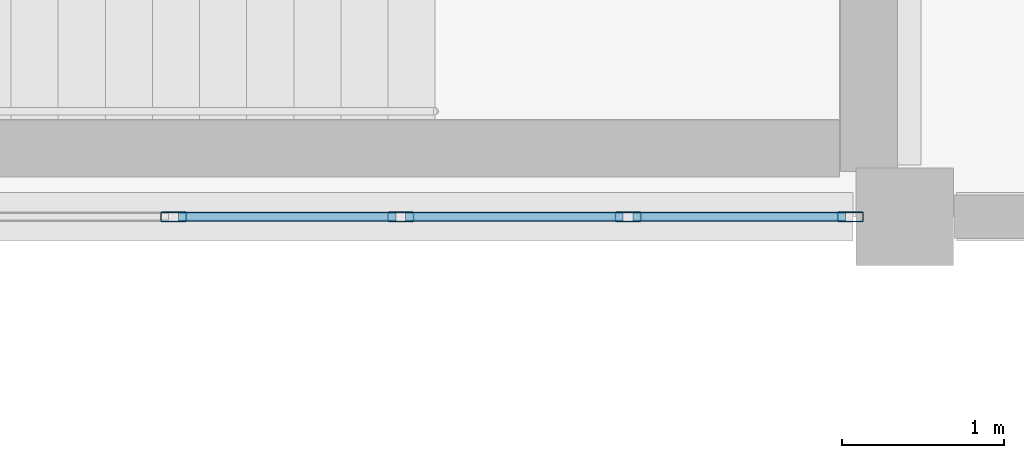
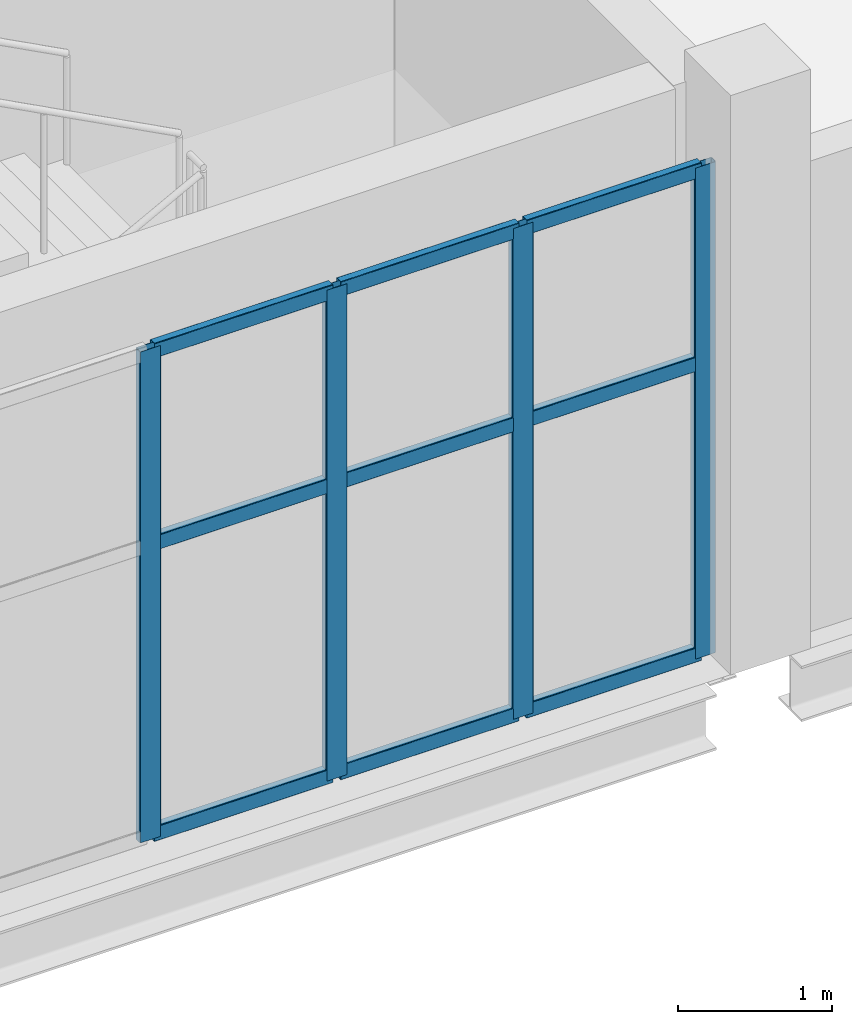
# One storey, part 91 of 136: 13 members, 1 element without a shape of its own.
"""IFC4 building model written with IfcOpenShell, lengths in metres."""

from ifc_helpers import new_model, si_unit, direction, frame, origin, origin_2d, place, context, subcontext, project, spatial, hollow_rectangle, extrude, material, material_profile, profile_set, type_object, element, aggregate, save


model = new_model("IFC4")

# Units and contexts
model_context = context("Model", 3, precision=1e-05, world=origin(), true_north=direction((0.0, 1.0)))
body_context = subcontext(model_context, "Body", "Model", "MODEL_VIEW")
ifc_project = project(units=[si_unit("LENGTHUNIT", "METRE"), si_unit("AREAUNIT", "SQUARE_METRE"), si_unit("VOLUMEUNIT", "CUBIC_METRE"), si_unit("PLANEANGLEUNIT", "RADIAN"), si_unit("MASSUNIT", "GRAM", prefix="KILO")], contexts=[model_context])

# Site, building, storey
site_placement = place(None, origin())
site = spatial("IfcSite", under=ifc_project, at=site_placement, CompositionType="ELEMENT")
building_placement = place(site_placement, origin())
building = spatial("IfcBuilding", under=site, at=building_placement, Name="Shengluoqiao Park Theatre", CompositionType="ELEMENT")
storey_placement = place(building_placement, frame((0.0, 0.0, 10.0)))
storey = spatial("IfcBuildingStorey", under=building, at=storey_placement, Name="L02", CompositionType="ELEMENT", Elevation=10.0)

# Curtain wall, members
ifc_material = material(Name="Aluminium 6063-T6", Category="aluminium")
curtain_wall_type = type_object("IfcCurtainWallType", Name="ENV-CW-CLERE", PredefinedType="NOTDEFINED", material=ifc_material)
curtain_wall_placement = place(storey_placement, origin())
curtain_wall = element("IfcCurtainWall", 1, at=curtain_wall_placement, inside=storey, type_object=curtain_wall_type, Name="L02 Curtain Wall CWX-L02-0189", PredefinedType="NOTDEFINED")
ifc_material_profile_1 = material_profile(ifc_material, hollow_rectangle(XDim=0.06005859375, YDim=0.159912109375, WallThickness=0.00390625, InnerFilletRadius=0.00390625, OuterFilletRadius=0.008056640625, at=origin_2d()), Name="ALU MULLION 160x60x4")
ifc_profile_set_1 = profile_set([ifc_material_profile_1], Name="Aluminium 6063-T6")
member_type_1 = type_object("IfcMemberType", Name="ENV-MUL-160", PredefinedType="MULLION", material=ifc_profile_set_1)
member_1_placement = place(storey_placement, frame((143.89990234375, 84.0, 0.0), z_axis=(0.0, 0.0, 1.0), x_axis=(0.0, 1.0, 0.0)))
member_1 = element("IfcMember", 2, at=member_1_placement, type_object=member_type_1, Name="CW-06 mullion 4", PredefinedType="MULLION", context=body_context, shape_type="SweptSolid", body=[
    extrude(hollow_rectangle(XDim=0.06005859375, YDim=0.159912109375, WallThickness=0.00390625, InnerFilletRadius=0.00390625, OuterFilletRadius=0.008056640625, at=origin_2d()), origin(), (0.0, 0.0, 1.0), 3.89794921875),
])
member_2_placement = place(storey_placement, frame((145.298583984375, 84.0, 0.0), z_axis=(0.0, 0.0, 1.0), x_axis=(0.0, 1.0, 0.0)))
member_2 = element("IfcMember", 3, at=member_2_placement, type_object=member_type_1, Name="CW-06 mullion 5", PredefinedType="MULLION", context=body_context, shape_type="SweptSolid", body=[
    extrude(hollow_rectangle(XDim=0.06005859375, YDim=0.159912109375, WallThickness=0.00390625, InnerFilletRadius=0.00390625, OuterFilletRadius=0.008056640625, at=origin_2d()), origin(), (0.0, 0.0, 1.0), 3.89794921875),
])
member_3_placement = place(storey_placement, frame((146.697265625, 84.0, 0.0), z_axis=(0.0, 0.0, 1.0), x_axis=(0.0, 1.0, 0.0)))
member_3 = element("IfcMember", 4, at=member_3_placement, type_object=member_type_1, Name="CW-06 mullion 6", PredefinedType="MULLION", context=body_context, shape_type="SweptSolid", body=[
    extrude(hollow_rectangle(XDim=0.06005859375, YDim=0.159912109375, WallThickness=0.00390625, InnerFilletRadius=0.00390625, OuterFilletRadius=0.008056640625, at=origin_2d()), origin(), (0.0, 0.0, 1.0), 3.89794921875),
])
member_4_placement = place(storey_placement, frame((148.06591796875, 84.0, 0.0), z_axis=(0.0, 0.0, 1.0), x_axis=(0.0, 1.0, 0.0)))
member_4 = element("IfcMember", 5, at=member_4_placement, type_object=member_type_1, Name="CW-06 mullion 7", PredefinedType="MULLION", context=body_context, shape_type="SweptSolid", body=[
    extrude(hollow_rectangle(XDim=0.06005859375, YDim=0.159912109375, WallThickness=0.00390625, InnerFilletRadius=0.00390625, OuterFilletRadius=0.008056640625, at=origin_2d()), origin(), (0.0, 0.0, 1.0), 3.89794921875),
])
ifc_material_profile_2 = material_profile(ifc_material, hollow_rectangle(XDim=0.06005859375, YDim=0.1201171875, WallThickness=0.00390625, InnerFilletRadius=0.00390625, OuterFilletRadius=0.008056640625, at=origin_2d()), Name="ALU TRANSOM 120x60x4")
ifc_profile_set_2 = profile_set([ifc_material_profile_2], Name="Aluminium 6063-T6")
member_type_2 = type_object("IfcMemberType", Name="ENV-TRN-120", PredefinedType="USERDEFINED", material=ifc_profile_set_2)
member_5_placement = place(storey_placement, frame((143.929931640625, 84.0, 0.030029296875), z_axis=(1.0, 0.0, 0.0), x_axis=(0.0, 1.0, 0.0)))
member_5 = element("IfcMember", 6, at=member_5_placement, type_object=member_type_2, Name="CW-06 transom 4.1", ObjectType="TRANSOM", PredefinedType="USERDEFINED", context=body_context, shape_type="SweptSolid", body=[
    extrude(hollow_rectangle(XDim=0.06005859375, YDim=0.1201171875, WallThickness=0.00390625, InnerFilletRadius=0.00390625, OuterFilletRadius=0.008056640625, at=origin_2d()), origin(), (0.0, 0.0, 1.0), 1.338623046875),
])
member_6_placement = place(storey_placement, frame((143.929931640625, 84.0, 2.339111328125), z_axis=(1.0, 0.0, 0.0), x_axis=(0.0, 1.0, 0.0)))
member_6 = element("IfcMember", 7, at=member_6_placement, type_object=member_type_2, Name="CW-06 transom 4.2", ObjectType="TRANSOM", PredefinedType="USERDEFINED", context=body_context, shape_type="SweptSolid", body=[
    extrude(hollow_rectangle(XDim=0.06005859375, YDim=0.1201171875, WallThickness=0.00390625, InnerFilletRadius=0.00390625, OuterFilletRadius=0.008056640625, at=origin_2d()), origin(), (0.0, 0.0, 1.0), 1.338623046875),
])
member_7_placement = place(storey_placement, frame((143.929931640625, 84.0, 3.867919921875), z_axis=(1.0, 0.0, 0.0), x_axis=(0.0, 1.0, 0.0)))
member_7 = element("IfcMember", 8, at=member_7_placement, type_object=member_type_2, Name="CW-06 transom 4.3", ObjectType="TRANSOM", PredefinedType="USERDEFINED", context=body_context, shape_type="SweptSolid", body=[
    extrude(hollow_rectangle(XDim=0.06005859375, YDim=0.1201171875, WallThickness=0.00390625, InnerFilletRadius=0.00390625, OuterFilletRadius=0.008056640625, at=origin_2d()), origin(), (0.0, 0.0, 1.0), 1.338623046875),
])
member_8_placement = place(storey_placement, frame((145.32861328125, 84.0, 0.030029296875), z_axis=(1.0, 0.0, 0.0), x_axis=(0.0, 1.0, 0.0)))
member_8 = element("IfcMember", 9, at=member_8_placement, type_object=member_type_2, Name="CW-06 transom 5.1", ObjectType="TRANSOM", PredefinedType="USERDEFINED", context=body_context, shape_type="SweptSolid", body=[
    extrude(hollow_rectangle(XDim=0.06005859375, YDim=0.1201171875, WallThickness=0.00390625, InnerFilletRadius=0.00390625, OuterFilletRadius=0.008056640625, at=origin_2d()), origin(), (0.0, 0.0, 1.0), 1.338623046875),
])
member_9_placement = place(storey_placement, frame((145.32861328125, 84.0, 2.339111328125), z_axis=(1.0, 0.0, 0.0), x_axis=(0.0, 1.0, 0.0)))
member_9 = element("IfcMember", 10, at=member_9_placement, type_object=member_type_2, Name="CW-06 transom 5.2", ObjectType="TRANSOM", PredefinedType="USERDEFINED", context=body_context, shape_type="SweptSolid", body=[
    extrude(hollow_rectangle(XDim=0.06005859375, YDim=0.1201171875, WallThickness=0.00390625, InnerFilletRadius=0.00390625, OuterFilletRadius=0.008056640625, at=origin_2d()), origin(), (0.0, 0.0, 1.0), 1.338623046875),
])
member_10_placement = place(storey_placement, frame((145.32861328125, 84.0, 3.867919921875), z_axis=(1.0, 0.0, 0.0), x_axis=(0.0, 1.0, 0.0)))
member_10 = element("IfcMember", 11, at=member_10_placement, type_object=member_type_2, Name="CW-06 transom 5.3", ObjectType="TRANSOM", PredefinedType="USERDEFINED", context=body_context, shape_type="SweptSolid", body=[
    extrude(hollow_rectangle(XDim=0.06005859375, YDim=0.1201171875, WallThickness=0.00390625, InnerFilletRadius=0.00390625, OuterFilletRadius=0.008056640625, at=origin_2d()), origin(), (0.0, 0.0, 1.0), 1.338623046875),
])
member_11_placement = place(storey_placement, frame((146.727294921875, 84.0, 0.030029296875), z_axis=(1.0, 0.0, 0.0), x_axis=(0.0, 1.0, 0.0)))
member_11 = element("IfcMember", 12, at=member_11_placement, type_object=member_type_2, Name="CW-06 transom 6.1", ObjectType="TRANSOM", PredefinedType="USERDEFINED", context=body_context, shape_type="SweptSolid", body=[
    extrude(hollow_rectangle(XDim=0.06005859375, YDim=0.1201171875, WallThickness=0.00390625, InnerFilletRadius=0.00390625, OuterFilletRadius=0.008056640625, at=origin_2d()), origin(), (0.0, 0.0, 1.0), 1.30859375),
])
member_12_placement = place(storey_placement, frame((146.727294921875, 84.0, 2.339111328125), z_axis=(1.0, 0.0, 0.0), x_axis=(0.0, 1.0, 0.0)))
member_12 = element("IfcMember", 13, at=member_12_placement, type_object=member_type_2, Name="CW-06 transom 6.2", ObjectType="TRANSOM", PredefinedType="USERDEFINED", context=body_context, shape_type="SweptSolid", body=[
    extrude(hollow_rectangle(XDim=0.06005859375, YDim=0.1201171875, WallThickness=0.00390625, InnerFilletRadius=0.00390625, OuterFilletRadius=0.008056640625, at=origin_2d()), origin(), (0.0, 0.0, 1.0), 1.30859375),
])
member_13_placement = place(storey_placement, frame((146.727294921875, 84.0, 3.867919921875), z_axis=(1.0, 0.0, 0.0), x_axis=(0.0, 1.0, 0.0)))
member_13 = element("IfcMember", 14, at=member_13_placement, type_object=member_type_2, Name="CW-06 transom 6.3", ObjectType="TRANSOM", PredefinedType="USERDEFINED", context=body_context, shape_type="SweptSolid", body=[
    extrude(hollow_rectangle(XDim=0.06005859375, YDim=0.1201171875, WallThickness=0.00390625, InnerFilletRadius=0.00390625, OuterFilletRadius=0.008056640625, at=origin_2d()), origin(), (0.0, 0.0, 1.0), 1.30859375),
])
aggregate(curtain_wall, [member_1, member_2, member_3, member_4, member_5, member_6, member_7, member_8, member_9, member_10, member_11, member_12, member_13])

save(model, "model.ifc")
